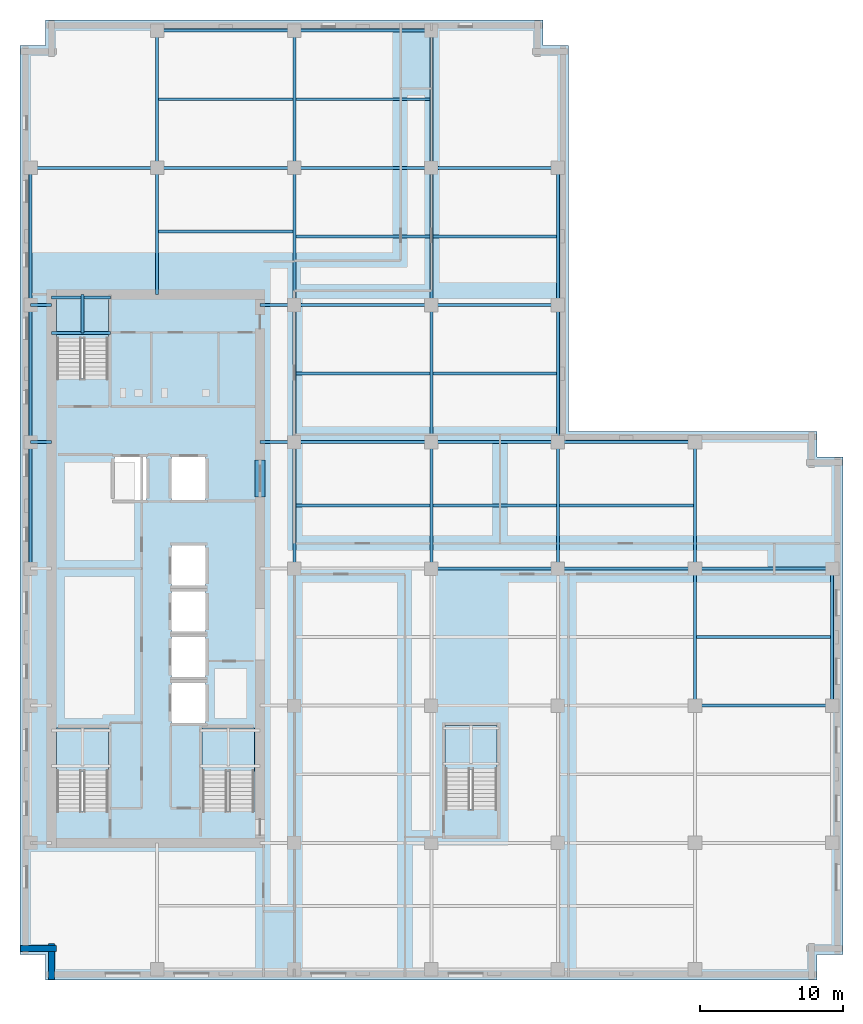
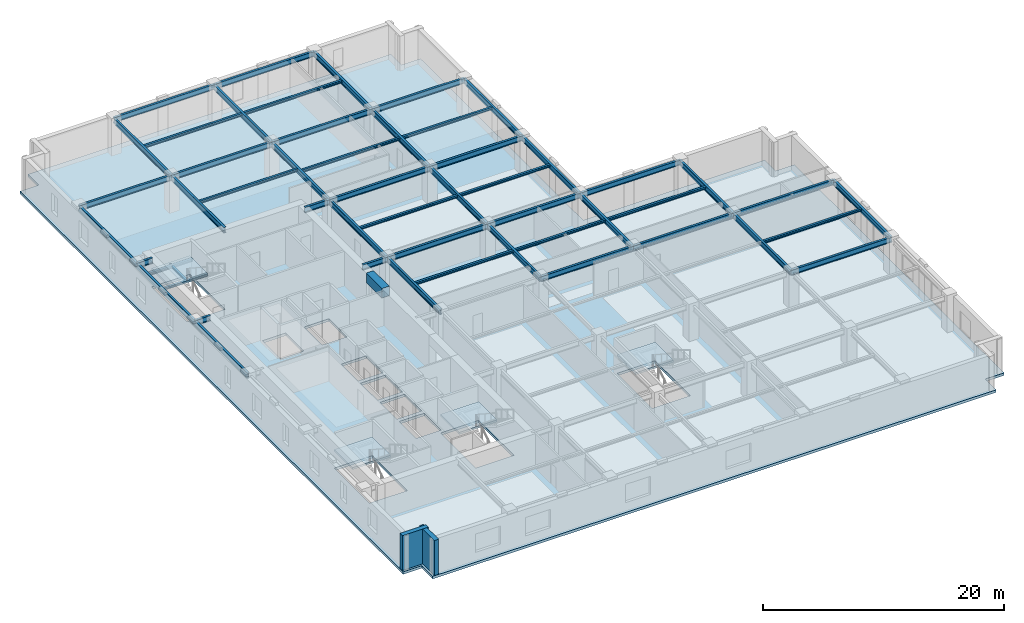
# One storey, part 2 of 12: 53 beams, 5 slabs, 2 walls, 4 elements without a shape of their own.
"""IFC4 building model written with IfcOpenShell, lengths in metres."""

from ifc_helpers import new_model, si_unit, direction, frame, frame_2d, origin, origin_2d, place, context, subcontext, project, spatial, polyline, rectangle, i_section, outline, extrude, material, layer, layer_set, material_profile, profile_set, type_object, element, aggregate, save


model = new_model("IFC4")

# Units and contexts
model_context = context("Model", 3, precision=1e-05, world=origin(), true_north=direction((0.0, 1.0)))
body_context = subcontext(model_context, "Body", "Model", "MODEL_VIEW")
ifc_project = project(units=[si_unit("LENGTHUNIT", "METRE"), si_unit("AREAUNIT", "SQUARE_METRE"), si_unit("VOLUMEUNIT", "CUBIC_METRE"), si_unit("PLANEANGLEUNIT", "RADIAN"), si_unit("MASSUNIT", "GRAM", prefix="KILO")], contexts=[model_context])

# Site, building, storey
site_placement = place(None, origin())
site = spatial("IfcSite", under=ifc_project, at=site_placement, CompositionType="ELEMENT")
building_placement = place(site_placement, origin())
building = spatial("IfcBuilding", under=site, at=building_placement, Name="Norrvale University Quadrangle", CompositionType="ELEMENT")
storey_placement = place(building_placement, frame((0.0, 0.0, 182.60009765625)))
storey = spatial("IfcBuildingStorey", under=building, at=storey_placement, Name="L46", CompositionType="ELEMENT", Elevation=182.60009765625)

# Beams
ifc_material_1 = material(Name="Concrete C80/95", Category="concrete")
ifc_material_profile_1 = material_profile(ifc_material_1, rectangle(XDim=0.699951171875, YDim=0.949951171875, at=origin_2d()), Name="Concrete C80/95")
ifc_profile_set_1 = profile_set([ifc_material_profile_1], Name="Concrete C80/95")
beam_type_1 = type_object("IfcBeamType", Name="Beam Core Link 700x950", PredefinedType="LINTEL", material=ifc_profile_set_1)
beam_1_placement = place(storey_placement, frame((16.800048828125, 33.800048828125, 3.06494140625), z_axis=(0.0, 1.0, 0.0), x_axis=(-1.0, 0.0, 0.0)))
element("IfcBeam", 1, at=beam_1_placement, inside=storey, type_object=beam_type_1, Name="Core Coupling Lintel Beam L46-2", PredefinedType="LINTEL", context=body_context, shape_type="SweptSolid", body=[
    extrude(rectangle(XDim=0.699951171875, YDim=0.949951171875, at=origin_2d()), origin(), (0.0, 0.0, 1.0), 2.599853515625),
])
ifc_material_2 = material(Name="Steel 350W", Category="steel")
ifc_material_profile_2 = material_profile(ifc_material_2, i_section(OverallWidth=0.208984375, OverallDepth=0.532958984375, WebThickness=0.01025390625, FlangeThickness=0.015625, FilletRadius=0.013916015625, at=origin_2d()), Name="Steel 350W")
ifc_profile_set_2 = profile_set([ifc_material_profile_2], Name="Steel 350W")
beam_type_2 = type_object("IfcBeamType", Name="Beam Floor W530x92", PredefinedType="JOIST", material=ifc_profile_set_2)
beam_2_placement = place(storey_placement, frame((47.25, 19.199951171875, 3.2734375), z_axis=(1.0, 0.0, 0.0), x_axis=(0.0, 1.0, 0.0)))
element("IfcBeam", 2, at=beam_2_placement, inside=storey, type_object=beam_type_2, Name="Beam Floor W530x92 BM-L46-GX012", PredefinedType="JOIST", context=body_context, shape_type="SweptSolid", body=[
    extrude(i_section(OverallWidth=0.208984375, OverallDepth=0.532958984375, WebThickness=0.01025390625, FlangeThickness=0.015625, FilletRadius=0.013916015625, at=origin_2d()), origin(), (0.0, 0.0, 1.0), 9.60009765625),
])
beam_3_placement = place(storey_placement, frame((28.800048828125, 28.800048828125, 3.2734375), z_axis=(1.0, 0.0, 0.0), x_axis=(0.0, 1.0, 0.0)))
element("IfcBeam", 3, at=beam_3_placement, inside=storey, type_object=beam_type_2, Name="Beam Floor W530x92 BM-L46-GX014", PredefinedType="JOIST", context=body_context, shape_type="SweptSolid", body=[
    extrude(i_section(OverallWidth=0.208984375, OverallDepth=0.532958984375, WebThickness=0.01025390625, FlangeThickness=0.015625, FilletRadius=0.013916015625, at=origin_2d()), origin(), (0.0, 0.0, 1.0), 8.849853515625),
])
for number, where, z_axis, x_axis, name in (
    (4, (37.64990234375, 28.800048828125, 3.2734375), (1.0, 0.0, 0.0), (0.0, 1.0, 0.0), "Beam Floor W530x92 BM-L46-GX015"),
    (5, (47.25, 28.800048828125, 3.2734375), (1.0, 0.0, 0.0), (0.0, 1.0, 0.0), "Beam Floor W530x92 BM-L46-GX016"),
    (6, (19.199951171875, 37.64990234375, 3.2734375), (1.0, 0.0, 0.0), (0.0, 1.0, 0.0), "Beam Floor W530x92 BM-L46-GX017"),
):
    element("IfcBeam", number, at=place(storey_placement, frame(where, z_axis=z_axis, x_axis=x_axis)), inside=storey, type_object=beam_type_2, Name=name, PredefinedType="JOIST", context=body_context, shape_type="SweptSolid", body=[
        extrude(i_section(OverallWidth=0.208984375, OverallDepth=0.532958984375, WebThickness=0.01025390625, FlangeThickness=0.015625, FilletRadius=0.013916015625, at=origin_2d()), origin(), (0.0, 0.0, 1.0), 9.60009765625),
    ])
beam_4_placement = place(storey_placement, frame((28.800048828125, 37.64990234375, 3.2734375), z_axis=(1.0, 0.0, 0.0), x_axis=(0.0, 1.0, 0.0)))
element("IfcBeam", 7, at=beam_4_placement, inside=storey, type_object=beam_type_2, Name="Beam Floor W530x92 BM-L46-GX018", PredefinedType="JOIST", context=body_context, shape_type="SweptSolid", body=[
    extrude(i_section(OverallWidth=0.208984375, OverallDepth=0.532958984375, WebThickness=0.01025390625, FlangeThickness=0.015625, FilletRadius=0.013916015625, at=origin_2d()), origin(), (0.0, 0.0, 1.0), 8.849853515625),
])
for number, where, z_axis, x_axis, name in (
    (8, (37.64990234375, 37.64990234375, 3.2734375), (1.0, 0.0, 0.0), (0.0, 1.0, 0.0), "Beam Floor W530x92 BM-L46-GX019"),
    (9, (19.199951171875, 47.25, 3.2734375), (1.0, 0.0, 0.0), (0.0, 1.0, 0.0), "Beam Floor W530x92 BM-L46-GX020"),
):
    element("IfcBeam", number, at=place(storey_placement, frame(where, z_axis=z_axis, x_axis=x_axis)), inside=storey, type_object=beam_type_2, Name=name, PredefinedType="JOIST", context=body_context, shape_type="SweptSolid", body=[
        extrude(i_section(OverallWidth=0.208984375, OverallDepth=0.532958984375, WebThickness=0.01025390625, FlangeThickness=0.015625, FilletRadius=0.013916015625, at=origin_2d()), origin(), (0.0, 0.0, 1.0), 9.60009765625),
    ])
beam_5_placement = place(storey_placement, frame((28.800048828125, 47.25, 3.2734375), z_axis=(1.0, 0.0, 0.0), x_axis=(0.0, 1.0, 0.0)))
element("IfcBeam", 10, at=beam_5_placement, inside=storey, type_object=beam_type_2, Name="Beam Floor W530x92 BM-L46-GX021", PredefinedType="JOIST", context=body_context, shape_type="SweptSolid", body=[
    extrude(i_section(OverallWidth=0.208984375, OverallDepth=0.532958984375, WebThickness=0.01025390625, FlangeThickness=0.015625, FilletRadius=0.013916015625, at=origin_2d()), origin(), (0.0, 0.0, 1.0), 8.849853515625),
])
beam_6_placement = place(storey_placement, frame((0.75, 56.85009765625, 3.2734375), z_axis=(1.0, 0.0, 0.0), x_axis=(0.0, 1.0, 0.0)))
element("IfcBeam", 11, at=beam_6_placement, inside=storey, type_object=beam_type_2, Name="Beam Floor W530x92 BM-L46-GX022", PredefinedType="JOIST", context=body_context, shape_type="SweptSolid", body=[
    extrude(i_section(OverallWidth=0.208984375, OverallDepth=0.532958984375, WebThickness=0.01025390625, FlangeThickness=0.015625, FilletRadius=0.013916015625, at=origin_2d()), origin(), (0.0, 0.0, 1.0), 8.85009765625),
])
beam_7_placement = place(storey_placement, frame((9.60009765625, 56.85009765625, 3.2734375), z_axis=(1.0, 0.0, 0.0), x_axis=(0.0, 1.0, 0.0)))
element("IfcBeam", 12, at=beam_7_placement, inside=storey, type_object=beam_type_2, Name="Beam Floor W530x92 BM-L46-GX023", PredefinedType="JOIST", context=body_context, shape_type="SweptSolid", body=[
    extrude(i_section(OverallWidth=0.208984375, OverallDepth=0.532958984375, WebThickness=0.01025390625, FlangeThickness=0.015625, FilletRadius=0.013916015625, at=origin_2d()), origin(), (0.0, 0.0, 1.0), 9.599853515625),
])
beam_8_placement = place(storey_placement, frame((19.199951171875, 56.85009765625, 3.2734375), z_axis=(1.0, 0.0, 0.0), x_axis=(0.0, 1.0, 0.0)))
element("IfcBeam", 13, at=beam_8_placement, inside=storey, type_object=beam_type_2, Name="Beam Floor W530x92 BM-L46-GX024", PredefinedType="JOIST", context=body_context, shape_type="SweptSolid", body=[
    extrude(i_section(OverallWidth=0.208984375, OverallDepth=0.532958984375, WebThickness=0.01025390625, FlangeThickness=0.015625, FilletRadius=0.013916015625, at=origin_2d()), origin(), (0.0, 0.0, 1.0), 9.60009765625),
])
beam_9_placement = place(storey_placement, frame((28.800048828125, 56.85009765625, 3.2734375), z_axis=(1.0, 0.0, 0.0), x_axis=(0.0, 1.0, 0.0)))
element("IfcBeam", 14, at=beam_9_placement, inside=storey, type_object=beam_type_2, Name="Beam Floor W530x92 BM-L46-GX025", PredefinedType="JOIST", context=body_context, shape_type="SweptSolid", body=[
    extrude(i_section(OverallWidth=0.208984375, OverallDepth=0.532958984375, WebThickness=0.01025390625, FlangeThickness=0.015625, FilletRadius=0.013916015625, at=origin_2d()), origin(), (0.0, 0.0, 1.0), 8.849853515625),
])
beam_10_placement = place(storey_placement, frame((9.60009765625, 66.449951171875, 3.2734375), z_axis=(1.0, 0.0, 0.0), x_axis=(0.0, 1.0, 0.0)))
element("IfcBeam", 15, at=beam_10_placement, inside=storey, type_object=beam_type_2, Name="Beam Floor W530x92 BM-L46-GX026", PredefinedType="JOIST", context=body_context, shape_type="SweptSolid", body=[
    extrude(i_section(OverallWidth=0.208984375, OverallDepth=0.532958984375, WebThickness=0.01025390625, FlangeThickness=0.015625, FilletRadius=0.013916015625, at=origin_2d()), origin(), (0.0, 0.0, 1.0), 9.599853515625),
])
beam_11_placement = place(storey_placement, frame((19.199951171875, 66.449951171875, 3.2734375), z_axis=(1.0, 0.0, 0.0), x_axis=(0.0, 1.0, 0.0)))
element("IfcBeam", 16, at=beam_11_placement, inside=storey, type_object=beam_type_2, Name="Beam Floor W530x92 BM-L46-GX027", PredefinedType="JOIST", context=body_context, shape_type="SweptSolid", body=[
    extrude(i_section(OverallWidth=0.208984375, OverallDepth=0.532958984375, WebThickness=0.01025390625, FlangeThickness=0.015625, FilletRadius=0.013916015625, at=origin_2d()), origin(), (0.0, 0.0, 1.0), 9.60009765625),
])
beam_12_placement = place(storey_placement, frame((0.75, 28.800048828125, 3.2734375), z_axis=(0.0, 1.0, 0.0), x_axis=(-1.0, 0.0, 0.0)))
element("IfcBeam", 17, at=beam_12_placement, inside=storey, type_object=beam_type_2, Name="Beam Floor W530x92 BM-L46-GY030", PredefinedType="JOIST", context=body_context, shape_type="SweptSolid", body=[
    extrude(i_section(OverallWidth=0.208984375, OverallDepth=0.532958984375, WebThickness=0.01025390625, FlangeThickness=0.015625, FilletRadius=0.013916015625, at=origin_2d()), origin(), (0.0, 0.0, 1.0), 8.849853515625),
])
for number, where, z_axis, x_axis, name in (
    (18, (0.75, 37.64990234375, 3.2734375), (0.0, 1.0, 0.0), (-1.0, 0.0, 0.0), "Beam Floor W530x92 BM-L46-GY031"),
    (19, (0.75, 47.25, 3.2734375), (0.0, 1.0, 0.0), (-1.0, 0.0, 0.0), "Beam Floor W530x92 BM-L46-GY032"),
):
    element("IfcBeam", number, at=place(storey_placement, frame(where, z_axis=z_axis, x_axis=x_axis)), inside=storey, type_object=beam_type_2, Name=name, PredefinedType="JOIST", context=body_context, shape_type="SweptSolid", body=[
        extrude(i_section(OverallWidth=0.208984375, OverallDepth=0.532958984375, WebThickness=0.01025390625, FlangeThickness=0.015625, FilletRadius=0.013916015625, at=origin_2d()), origin(), (0.0, 0.0, 1.0), 9.60009765625),
    ])
beam_13_placement = place(storey_placement, frame((9.60009765625, 56.85009765625, 3.2734375), z_axis=(0.0, 1.0, 0.0), x_axis=(-1.0, 0.0, 0.0)))
element("IfcBeam", 20, at=beam_13_placement, inside=storey, type_object=beam_type_2, Name="Beam Floor W530x92 BM-L46-GY033", PredefinedType="JOIST", context=body_context, shape_type="SweptSolid", body=[
    extrude(i_section(OverallWidth=0.208984375, OverallDepth=0.532958984375, WebThickness=0.01025390625, FlangeThickness=0.015625, FilletRadius=0.013916015625, at=origin_2d()), origin(), (0.0, 0.0, 1.0), 9.599853515625),
])
beam_14_placement = place(storey_placement, frame((19.199951171875, 28.800048828125, 3.2734375), z_axis=(0.0, 1.0, 0.0), x_axis=(-1.0, 0.0, 0.0)))
element("IfcBeam", 21, at=beam_14_placement, inside=storey, type_object=beam_type_2, Name="Beam Floor W530x92 BM-L46-GY037", PredefinedType="JOIST", context=body_context, shape_type="SweptSolid", body=[
    extrude(i_section(OverallWidth=0.208984375, OverallDepth=0.532958984375, WebThickness=0.01025390625, FlangeThickness=0.015625, FilletRadius=0.013916015625, at=origin_2d()), origin(), (0.0, 0.0, 1.0), 8.849853515625),
])
for number, where, z_axis, x_axis, name in (
    (22, (19.199951171875, 37.64990234375, 3.2734375), (0.0, 1.0, 0.0), (-1.0, 0.0, 0.0), "Beam Floor W530x92 BM-L46-GY038"),
    (23, (19.199951171875, 47.25, 3.2734375), (0.0, 1.0, 0.0), (-1.0, 0.0, 0.0), "Beam Floor W530x92 BM-L46-GY039"),
):
    element("IfcBeam", number, at=place(storey_placement, frame(where, z_axis=z_axis, x_axis=x_axis)), inside=storey, type_object=beam_type_2, Name=name, PredefinedType="JOIST", context=body_context, shape_type="SweptSolid", body=[
        extrude(i_section(OverallWidth=0.208984375, OverallDepth=0.532958984375, WebThickness=0.01025390625, FlangeThickness=0.015625, FilletRadius=0.013916015625, at=origin_2d()), origin(), (0.0, 0.0, 1.0), 9.60009765625),
    ])
beam_15_placement = place(storey_placement, frame((19.199951171875, 56.85009765625, 3.2734375), z_axis=(0.0, 1.0, 0.0), x_axis=(-1.0, 0.0, 0.0)))
element("IfcBeam", 24, at=beam_15_placement, inside=storey, type_object=beam_type_2, Name="Beam Floor W530x92 BM-L46-GY040", PredefinedType="JOIST", context=body_context, shape_type="SweptSolid", body=[
    extrude(i_section(OverallWidth=0.208984375, OverallDepth=0.532958984375, WebThickness=0.01025390625, FlangeThickness=0.015625, FilletRadius=0.013916015625, at=origin_2d()), origin(), (0.0, 0.0, 1.0), 9.599853515625),
])
beam_16_placement = place(storey_placement, frame((28.800048828125, 28.800048828125, 3.2734375), z_axis=(0.0, 1.0, 0.0), x_axis=(-1.0, 0.0, 0.0)))
element("IfcBeam", 25, at=beam_16_placement, inside=storey, type_object=beam_type_2, Name="Beam Floor W530x92 BM-L46-GY044", PredefinedType="JOIST", context=body_context, shape_type="SweptSolid", body=[
    extrude(i_section(OverallWidth=0.208984375, OverallDepth=0.532958984375, WebThickness=0.01025390625, FlangeThickness=0.015625, FilletRadius=0.013916015625, at=origin_2d()), origin(), (0.0, 0.0, 1.0), 8.849853515625),
])
for number, where, z_axis, x_axis, name in (
    (26, (28.800048828125, 37.64990234375, 3.2734375), (0.0, 1.0, 0.0), (-1.0, 0.0, 0.0), "Beam Floor W530x92 BM-L46-GY045"),
    (27, (28.800048828125, 47.25, 3.2734375), (0.0, 1.0, 0.0), (-1.0, 0.0, 0.0), "Beam Floor W530x92 BM-L46-GY046"),
):
    element("IfcBeam", number, at=place(storey_placement, frame(where, z_axis=z_axis, x_axis=x_axis)), inside=storey, type_object=beam_type_2, Name=name, PredefinedType="JOIST", context=body_context, shape_type="SweptSolid", body=[
        extrude(i_section(OverallWidth=0.208984375, OverallDepth=0.532958984375, WebThickness=0.01025390625, FlangeThickness=0.015625, FilletRadius=0.013916015625, at=origin_2d()), origin(), (0.0, 0.0, 1.0), 9.60009765625),
    ])
beam_17_placement = place(storey_placement, frame((28.800048828125, 56.85009765625, 3.2734375), z_axis=(0.0, 1.0, 0.0), x_axis=(-1.0, 0.0, 0.0)))
element("IfcBeam", 28, at=beam_17_placement, inside=storey, type_object=beam_type_2, Name="Beam Floor W530x92 BM-L46-GY047", PredefinedType="JOIST", context=body_context, shape_type="SweptSolid", body=[
    extrude(i_section(OverallWidth=0.208984375, OverallDepth=0.532958984375, WebThickness=0.01025390625, FlangeThickness=0.015625, FilletRadius=0.013916015625, at=origin_2d()), origin(), (0.0, 0.0, 1.0), 9.599853515625),
])
beam_18_placement = place(storey_placement, frame((37.64990234375, 28.800048828125, 3.2734375), z_axis=(0.0, 1.0, 0.0), x_axis=(-1.0, 0.0, 0.0)))
element("IfcBeam", 29, at=beam_18_placement, inside=storey, type_object=beam_type_2, Name="Beam Floor W530x92 BM-L46-GY051", PredefinedType="JOIST", context=body_context, shape_type="SweptSolid", body=[
    extrude(i_section(OverallWidth=0.208984375, OverallDepth=0.532958984375, WebThickness=0.01025390625, FlangeThickness=0.015625, FilletRadius=0.013916015625, at=origin_2d()), origin(), (0.0, 0.0, 1.0), 8.849853515625),
])
for number, where, z_axis, x_axis, name in (
    (30, (37.64990234375, 37.64990234375, 3.2734375), (0.0, 1.0, 0.0), (-1.0, 0.0, 0.0), "Beam Floor W530x92 BM-L46-GY052"),
    (31, (37.64990234375, 47.25, 3.2734375), (0.0, 1.0, 0.0), (-1.0, 0.0, 0.0), "Beam Floor W530x92 BM-L46-GY053"),
    (32, (47.25, 19.199951171875, 3.2734375), (0.0, 1.0, 0.0), (-1.0, 0.0, 0.0), "Beam Floor W530x92 BM-L46-GY056"),
):
    element("IfcBeam", number, at=place(storey_placement, frame(where, z_axis=z_axis, x_axis=x_axis)), inside=storey, type_object=beam_type_2, Name=name, PredefinedType="JOIST", context=body_context, shape_type="SweptSolid", body=[
        extrude(i_section(OverallWidth=0.208984375, OverallDepth=0.532958984375, WebThickness=0.01025390625, FlangeThickness=0.015625, FilletRadius=0.013916015625, at=origin_2d()), origin(), (0.0, 0.0, 1.0), 9.60009765625),
    ])
beam_19_placement = place(storey_placement, frame((47.25, 28.800048828125, 3.2734375), z_axis=(0.0, 1.0, 0.0), x_axis=(-1.0, 0.0, 0.0)))
element("IfcBeam", 33, at=beam_19_placement, inside=storey, type_object=beam_type_2, Name="Beam Floor W530x92 BM-L46-GY057", PredefinedType="JOIST", context=body_context, shape_type="SweptSolid", body=[
    extrude(i_section(OverallWidth=0.208984375, OverallDepth=0.532958984375, WebThickness=0.01025390625, FlangeThickness=0.015625, FilletRadius=0.013916015625, at=origin_2d()), origin(), (0.0, 0.0, 1.0), 8.849853515625),
])
beam_20_placement = place(storey_placement, frame((56.85009765625, 19.199951171875, 3.2734375), z_axis=(0.0, 1.0, 0.0), x_axis=(-1.0, 0.0, 0.0)))
element("IfcBeam", 34, at=beam_20_placement, inside=storey, type_object=beam_type_2, Name="Beam Floor W530x92 BM-L46-GY059", PredefinedType="JOIST", context=body_context, shape_type="SweptSolid", body=[
    extrude(i_section(OverallWidth=0.208984375, OverallDepth=0.532958984375, WebThickness=0.01025390625, FlangeThickness=0.015625, FilletRadius=0.013916015625, at=origin_2d()), origin(), (0.0, 0.0, 1.0), 9.60009765625),
])
beam_21_placement = place(storey_placement, frame((0.75, 37.64990234375, 3.2734375), z_axis=(1.0, 0.0, 0.0), x_axis=(0.0, 1.0, 0.0)))
element("IfcBeam", 35, at=beam_21_placement, inside=storey, type_object=beam_type_2, Name="Beam Floor W530x92 BM-L46-GCW066", PredefinedType="JOIST", context=body_context, shape_type="SweptSolid", body=[
    extrude(i_section(OverallWidth=0.208984375, OverallDepth=0.532958984375, WebThickness=0.01025390625, FlangeThickness=0.015625, FilletRadius=0.013916015625, at=origin_2d()), origin(), (0.0, 0.0, 1.0), 1.449951171875),
])
beam_22_placement = place(storey_placement, frame((16.800048828125, 37.64990234375, 3.2734375), z_axis=(1.0, 0.0, 0.0), x_axis=(0.0, 1.0, 0.0)))
element("IfcBeam", 36, at=beam_22_placement, inside=storey, type_object=beam_type_2, Name="Beam Floor W530x92 BM-L46-GCE067", PredefinedType="JOIST", context=body_context, shape_type="SweptSolid", body=[
    extrude(i_section(OverallWidth=0.208984375, OverallDepth=0.532958984375, WebThickness=0.01025390625, FlangeThickness=0.015625, FilletRadius=0.013916015625, at=origin_2d()), origin(), (0.0, 0.0, 1.0), 2.39990234375),
])
beam_23_placement = place(storey_placement, frame((0.75, 47.25, 3.2734375), z_axis=(1.0, 0.0, 0.0), x_axis=(0.0, 1.0, 0.0)))
element("IfcBeam", 37, at=beam_23_placement, inside=storey, type_object=beam_type_2, Name="Beam Floor W530x92 BM-L46-GCW068", PredefinedType="JOIST", context=body_context, shape_type="SweptSolid", body=[
    extrude(i_section(OverallWidth=0.208984375, OverallDepth=0.532958984375, WebThickness=0.01025390625, FlangeThickness=0.015625, FilletRadius=0.013916015625, at=origin_2d()), origin(), (0.0, 0.0, 1.0), 1.449951171875),
])
beam_24_placement = place(storey_placement, frame((16.800048828125, 47.25, 3.2734375), z_axis=(1.0, 0.0, 0.0), x_axis=(0.0, 1.0, 0.0)))
element("IfcBeam", 38, at=beam_24_placement, inside=storey, type_object=beam_type_2, Name="Beam Floor W530x92 BM-L46-GCE069", PredefinedType="JOIST", context=body_context, shape_type="SweptSolid", body=[
    extrude(i_section(OverallWidth=0.208984375, OverallDepth=0.532958984375, WebThickness=0.01025390625, FlangeThickness=0.015625, FilletRadius=0.013916015625, at=origin_2d()), origin(), (0.0, 0.0, 1.0), 2.39990234375),
])
beam_25_placement = place(storey_placement, frame((9.60009765625, 48.0, 3.2734375), z_axis=(0.0, 1.0, 0.0), x_axis=(-1.0, 0.0, 0.0)))
element("IfcBeam", 39, at=beam_25_placement, inside=storey, type_object=beam_type_2, Name="Beam Floor W530x92 BM-L46-GCN091", PredefinedType="JOIST", context=body_context, shape_type="SweptSolid", body=[
    extrude(i_section(OverallWidth=0.208984375, OverallDepth=0.532958984375, WebThickness=0.01025390625, FlangeThickness=0.015625, FilletRadius=0.013916015625, at=origin_2d()), origin(), (0.0, 0.0, 1.0), 8.85009765625),
])
ifc_material_profile_3 = material_profile(ifc_material_2, i_section(OverallWidth=0.201904296875, OverallDepth=0.2470703125, WebThickness=0.00732421875, FlangeThickness=0.010986328125, FilletRadius=0.011962890625, at=origin_2d()), Name="Steel 350W")
ifc_profile_set_3 = profile_set([ifc_material_profile_3], Name="Steel 350W")
beam_type_3 = type_object("IfcBeamType", Name="Beam Stair W250x49", PredefinedType="BEAM", material=ifc_profile_set_3)
beam_26_placement = place(storey_placement, frame((9.70458984375, 61.64990234375, 3.41650390625), z_axis=(1.0, 0.0, 0.0), x_axis=(0.0, 1.0, 0.0)))
element("IfcBeam", 40, at=beam_26_placement, inside=storey, type_object=beam_type_3, Name="Beam Stair W250x49 BM-L46-J070", PredefinedType="BEAM", context=body_context, shape_type="SweptSolid", body=[
    extrude(i_section(OverallWidth=0.201904296875, OverallDepth=0.2470703125, WebThickness=0.00732421875, FlangeThickness=0.010986328125, FilletRadius=0.011962890625, at=origin_2d()), origin(), (0.0, 0.0, 1.0), 9.390869140625),
])
for number, where, z_axis, x_axis, name in (
    (41, (19.304443359375, 33.22509765625, 3.41650390625), (1.0, 0.0, 0.0), (0.0, 1.0, 0.0), "Beam Stair W250x49 BM-L46-J074"),
    (42, (19.304443359375, 42.449951171875, 3.41650390625), (1.0, 0.0, 0.0), (0.0, 1.0, 0.0), "Beam Stair W250x49 BM-L46-J075"),
    (43, (19.304443359375, 52.050048828125, 3.41650390625), (1.0, 0.0, 0.0), (0.0, 1.0, 0.0), "Beam Stair W250x49 BM-L46-J076"),
    (44, (19.304443359375, 61.64990234375, 3.41650390625), (1.0, 0.0, 0.0), (0.0, 1.0, 0.0), "Beam Stair W250x49 BM-L46-J077"),
):
    element("IfcBeam", number, at=place(storey_placement, frame(where, z_axis=z_axis, x_axis=x_axis)), inside=storey, type_object=beam_type_3, Name=name, PredefinedType="BEAM", context=body_context, shape_type="SweptSolid", body=[
        extrude(i_section(OverallWidth=0.201904296875, OverallDepth=0.2470703125, WebThickness=0.00732421875, FlangeThickness=0.010986328125, FilletRadius=0.011962890625, at=origin_2d()), origin(), (0.0, 0.0, 1.0), 9.39111328125),
    ])
for number, where, z_axis, x_axis, name in (
    (45, (28.904541015625, 33.22509765625, 3.41650390625), (1.0, 0.0, 0.0), (0.0, 1.0, 0.0), "Beam Stair W250x49 BM-L46-J080"),
    (46, (28.904541015625, 42.449951171875, 3.41650390625), (1.0, 0.0, 0.0), (0.0, 1.0, 0.0), "Beam Stair W250x49 BM-L46-J081"),
    (47, (28.904541015625, 52.050048828125, 3.41650390625), (1.0, 0.0, 0.0), (0.0, 1.0, 0.0), "Beam Stair W250x49 BM-L46-J082"),
):
    element("IfcBeam", number, at=place(storey_placement, frame(where, z_axis=z_axis, x_axis=x_axis)), inside=storey, type_object=beam_type_3, Name=name, PredefinedType="BEAM", context=body_context, shape_type="SweptSolid", body=[
        extrude(i_section(OverallWidth=0.201904296875, OverallDepth=0.2470703125, WebThickness=0.00732421875, FlangeThickness=0.010986328125, FilletRadius=0.011962890625, at=origin_2d()), origin(), (0.0, 0.0, 1.0), 8.640869140625),
    ])
for number, where, z_axis, x_axis, name in (
    (48, (37.75439453125, 33.22509765625, 3.41650390625), (1.0, 0.0, 0.0), (0.0, 1.0, 0.0), "Beam Stair W250x49 BM-L46-J086"),
    (49, (47.3544921875, 24.0, 3.41650390625), (1.0, 0.0, 0.0), (0.0, 1.0, 0.0), "Beam Stair W250x49 BM-L46-J088"),
):
    element("IfcBeam", number, at=place(storey_placement, frame(where, z_axis=z_axis, x_axis=x_axis)), inside=storey, type_object=beam_type_3, Name=name, PredefinedType="BEAM", context=body_context, shape_type="SweptSolid", body=[
        extrude(i_section(OverallWidth=0.201904296875, OverallDepth=0.2470703125, WebThickness=0.00732421875, FlangeThickness=0.010986328125, FilletRadius=0.011962890625, at=origin_2d()), origin(), (0.0, 0.0, 1.0), 9.39111328125),
    ])
beam_27_placement = place(storey_placement, frame((9.70458984375, 52.39990234375, 3.41650390625), z_axis=(1.0, 0.0, 0.0), x_axis=(0.0, 1.0, 0.0)))
element("IfcBeam", 50, at=beam_27_placement, inside=storey, type_object=beam_type_3, Name="Beam Stair W250x49 BM-L46-JCN092", PredefinedType="BEAM", context=body_context, shape_type="SweptSolid", body=[
    extrude(i_section(OverallWidth=0.201904296875, OverallDepth=0.2470703125, WebThickness=0.00732421875, FlangeThickness=0.010986328125, FilletRadius=0.011962890625, at=origin_2d()), origin(), (0.0, 0.0, 1.0), 9.390869140625),
])
for number, where, z_axis, x_axis, name in (
    (51, (2.199951171875, 45.2900390625, 1.576416015625), (1.0, 0.0, 0.0), (0.0, 1.0, 0.0), "Stair Mid-Landing Front Beam ST-02 L46"),
    (52, (2.199951171875, 47.77001953125, 1.576416015625), (1.0, 0.0, 0.0), (0.0, 1.0, 0.0), "Stair Mid-Landing Rear Beam ST-02 L46"),
):
    element("IfcBeam", number, at=place(storey_placement, frame(where, z_axis=z_axis, x_axis=x_axis)), inside=storey, type_object=beam_type_3, Name=name, PredefinedType="BEAM", context=body_context, shape_type="SweptSolid", body=[
        extrude(i_section(OverallWidth=0.201904296875, OverallDepth=0.2470703125, WebThickness=0.00732421875, FlangeThickness=0.010986328125, FilletRadius=0.011962890625, at=origin_2d()), origin(), (0.0, 0.0, 1.0), 4.14013671875),
    ])
ifc_material_profile_4 = material_profile(ifc_material_2, i_section(OverallWidth=0.202880859375, OverallDepth=0.202880859375, WebThickness=0.007080078125, FlangeThickness=0.010986328125, FilletRadius=0.010009765625, at=origin_2d()), Name="Steel 350W")
ifc_profile_set_4 = profile_set([ifc_material_profile_4], Name="Steel 350W")
beam_type_4 = type_object("IfcBeamType", Name="Beam Trim W200x46", PredefinedType="BEAM", material=ifc_profile_set_4)
beam_28_placement = place(storey_placement, frame((4.375, 45.2900390625, 1.598388671875), z_axis=(0.0, 1.0, 0.0), x_axis=(-1.0, 0.0, 0.0)))
element("IfcBeam", 53, at=beam_28_placement, inside=storey, type_object=beam_type_4, Name="Stair Mid-Landing Cross Beam ST-02 L46", PredefinedType="BEAM", context=body_context, shape_type="SweptSolid", body=[
    extrude(i_section(OverallWidth=0.202880859375, OverallDepth=0.202880859375, WebThickness=0.007080078125, FlangeThickness=0.010986328125, FilletRadius=0.010009765625, at=origin_2d()), origin(), (0.0, 0.0, 1.0), 2.7099609375),
])

# Stair, slab
ifc_material_3 = material(Name="Concrete C40/50", Category="concrete")
stair_type = type_object("IfcStairType", Name="Stair Tower Typ 3800", PredefinedType="TWO_STRAIGHT_RUN_STAIR", material=ifc_material_3)
stair_1_placement = place(storey_placement, origin())
stair_1 = element("IfcStair", 54, at=stair_1_placement, inside=storey, type_object=stair_type, Name="Exit Stair ST-01 L46", PredefinedType="TWO_STRAIGHT_RUN_STAIR")
ifc_layer_1 = layer(ifc_material_3, 0.199951171875, Name="Concrete C40/50")
ifc_layer_set_1 = layer_set([ifc_layer_1], Name="Concrete C40/50")
slab_type_1 = type_object("IfcSlabType", Name="Slab Landing 200", PredefinedType="LANDING", material=ifc_layer_set_1)
slab_1_placement = place(storey_placement, frame((0.0, 0.0, 1.699951171875)))
slab_1 = element("IfcSlab", 55, at=slab_1_placement, type_object=slab_type_1, Name="Exit Stair ST-01 L46 Mid Landing", PredefinedType="LANDING", context=body_context, shape_type="SweptSolid", body=[
    extrude(outline(polyline([(2.550048828125, 14.590087890625), (6.199951171875, 14.590087890625), (6.199951171875, 17.64990234375), (2.550048828125, 17.64990234375), (2.550048828125, 14.590087890625)])), origin(), (0.0, 0.0, 1.0), 0.199951171875),
])
aggregate(stair_1, [slab_1])

stair_2_placement = place(storey_placement, origin())
stair_2 = element("IfcStair", 56, at=stair_2_placement, inside=storey, type_object=stair_type, Name="Exit Stair ST-02 L46", PredefinedType="TWO_STRAIGHT_RUN_STAIR")
slab_2_placement = place(storey_placement, frame((0.0, 0.0, 1.699951171875)))
slab_2 = element("IfcSlab", 57, at=slab_2_placement, type_object=slab_type_1, Name="Exit Stair ST-02 L46 Mid Landing", PredefinedType="LANDING", context=body_context, shape_type="SweptSolid", body=[
    extrude(outline(polyline([(2.550048828125, 44.889892578125), (6.199951171875, 44.889892578125), (6.199951171875, 47.949951171875), (2.550048828125, 47.949951171875), (2.550048828125, 44.889892578125)])), origin(), (0.0, 0.0, 1.0), 0.199951171875),
])
aggregate(stair_2, [slab_2])

stair_3_placement = place(storey_placement, origin())
stair_3 = element("IfcStair", 58, at=stair_3_placement, inside=storey, type_object=stair_type, Name="Exit Stair ST-03 L46", PredefinedType="TWO_STRAIGHT_RUN_STAIR")
slab_3_placement = place(storey_placement, frame((0.0, 0.0, 1.699951171875)))
slab_3 = element("IfcSlab", 59, at=slab_3_placement, type_object=slab_type_1, Name="Exit Stair ST-03 L46 Mid Landing", PredefinedType="LANDING", context=body_context, shape_type="SweptSolid", body=[
    extrude(outline(polyline([(12.75, 14.590087890625), (16.39990234375, 14.590087890625), (16.39990234375, 17.64990234375), (12.75, 17.64990234375), (12.75, 14.590087890625)])), origin(), (0.0, 0.0, 1.0), 0.199951171875),
])
aggregate(stair_3, [slab_3])

stair_4_placement = place(storey_placement, origin())
stair_4 = element("IfcStair", 60, at=stair_4_placement, inside=storey, type_object=stair_type, Name="Exit Stair ST-04 L46", PredefinedType="TWO_STRAIGHT_RUN_STAIR")
slab_4_placement = place(storey_placement, frame((0.0, 0.0, 1.699951171875)))
slab_4 = element("IfcSlab", 61, at=slab_4_placement, type_object=slab_type_1, Name="Exit Stair ST-04 L46 Mid Landing", PredefinedType="LANDING", context=body_context, shape_type="SweptSolid", body=[
    extrude(outline(polyline([(29.75, 14.739990234375), (33.39990234375, 14.739990234375), (33.39990234375, 17.800048828125), (29.75, 17.800048828125), (29.75, 14.739990234375)])), origin(), (0.0, 0.0, 1.0), 0.199951171875),
])
aggregate(stair_4, [slab_4])

# Slab
ifc_layer_2 = layer(ifc_material_3, 0.260009765625, Name="Concrete C40/50")
ifc_layer_set_2 = layer_set([ifc_layer_2], Name="Concrete C40/50")
slab_type_2 = type_object("IfcSlabType", Name="Slab Tower Typ 260", PredefinedType="FLOOR", material=ifc_layer_set_2)
slab_5_placement = place(storey_placement, frame((0.0, 0.0, -0.260009765625)))
element("IfcSlab", 62, at=slab_5_placement, inside=storey, type_object=slab_type_2, Name="Tower L46 Floor Slab", PredefinedType="FLOOR", context=body_context, shape_type="SweptSolid", body=[
    extrude(outline(polyline([(1.800048828125, 0.0), (55.800048828125, 0.0), (55.800048828125, 1.800048828125), (57.60009765625, 1.800048828125), (57.60009765625, 36.60009765625), (55.800048828125, 36.60009765625), (55.800048828125, 38.39990234375), (38.39990234375, 38.39990234375), (38.39990234375, 65.39990234375), (36.60009765625, 65.39990234375), (36.60009765625, 67.199951171875), (1.800048828125, 67.199951171875), (1.800048828125, 65.39990234375), (0.0, 65.39990234375), (0.0, 1.800048828125), (1.800048828125, 1.800048828125), (1.800048828125, 0.0)]), holes=[polyline([(2.550048828125, 11.81005859375), (6.199951171875, 11.81005859375), (6.199951171875, 17.64990234375), (2.550048828125, 17.64990234375), (2.550048828125, 11.81005859375)]), polyline([(2.550048828125, 42.110107421875), (6.199951171875, 42.110107421875), (6.199951171875, 47.949951171875), (2.550048828125, 47.949951171875), (2.550048828125, 42.110107421875)]), polyline([(12.75, 11.81005859375), (16.39990234375, 11.81005859375), (16.39990234375, 17.64990234375), (12.75, 17.64990234375), (12.75, 11.81005859375)]), polyline([(29.75, 11.9599609375), (33.39990234375, 11.9599609375), (33.39990234375, 17.800048828125), (29.75, 17.800048828125), (29.75, 11.9599609375)]), polyline([(10.60009765625, 18.0), (13.0, 18.0), (13.0, 20.800048828125), (10.60009765625, 20.800048828125), (10.60009765625, 18.0)]), polyline([(10.60009765625, 21.199951171875), (13.0, 21.199951171875), (13.0, 24.0), (10.60009765625, 24.0), (10.60009765625, 21.199951171875)]), polyline([(10.60009765625, 24.39990234375), (13.0, 24.39990234375), (13.0, 27.199951171875), (10.60009765625, 27.199951171875), (10.60009765625, 24.39990234375)]), polyline([(10.60009765625, 27.60009765625), (13.0, 27.60009765625), (13.0, 30.39990234375), (10.60009765625, 30.39990234375), (10.60009765625, 27.60009765625)]), polyline([(6.60009765625, 33.60009765625), (8.85009765625, 33.60009765625), (8.85009765625, 36.60009765625), (6.60009765625, 36.60009765625), (6.60009765625, 33.60009765625)]), polyline([(10.60009765625, 33.60009765625), (13.0, 33.60009765625), (13.0, 36.60009765625), (10.60009765625, 36.60009765625), (10.60009765625, 33.60009765625)])]), origin(), (0.0, 0.0, 1.0), 0.260009765625),
])

# Walls
ifc_material_4 = material(Name="Buff Norman Clay Brick Masonry", Category="masonry")
ifc_layer_3 = layer(ifc_material_4, 0.419921875, Name="Buff Norman Clay Brick Masonry")
ifc_layer_set_3 = layer_set([ifc_layer_3], Name="Buff Norman Clay Brick Masonry")
wall_type = type_object("IfcWallType", Name="Wall Buff Brick 420", PredefinedType="SOLIDWALL", material=ifc_layer_set_3)
for number, where, z_axis, x_axis, name in (
    (63, (0.0400390625, 2.18994140625, 0.0), (0.0, 0.0, 1.0), (1.0, 0.0, 0.0), "Exterior Brick Facade Wall L46-15.1"),
    (64, (2.18994140625, 2.5400390625, 0.0), (0.0, 0.0, 1.0), (0.0, -1.0, 0.0), "Exterior Brick Facade Wall L46-16.1"),
):
    element("IfcWall", number, at=place(storey_placement, frame(where, z_axis=z_axis, x_axis=x_axis)), inside=storey, type_object=wall_type, Name=name, PredefinedType="SOLIDWALL", context=body_context, shape_type="SweptSolid", body=[
        extrude(rectangle(XDim=2.5, YDim=0.419921875, at=frame_2d((1.25, 0.0))), origin(), (0.0, 0.0, 1.0), 3.539794921875),
    ])

save(model, "model.ifc")
